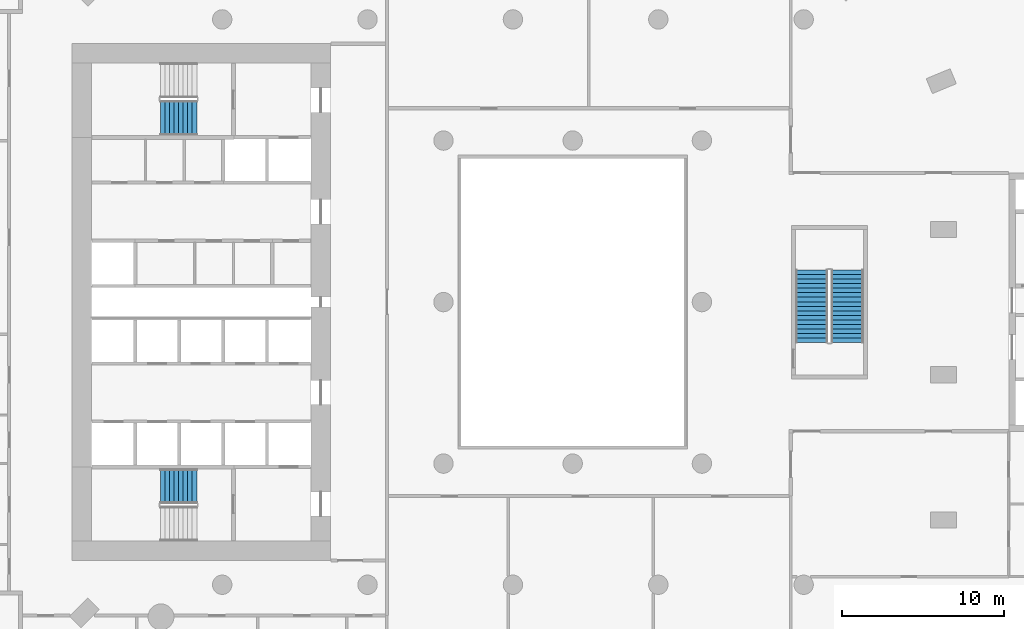
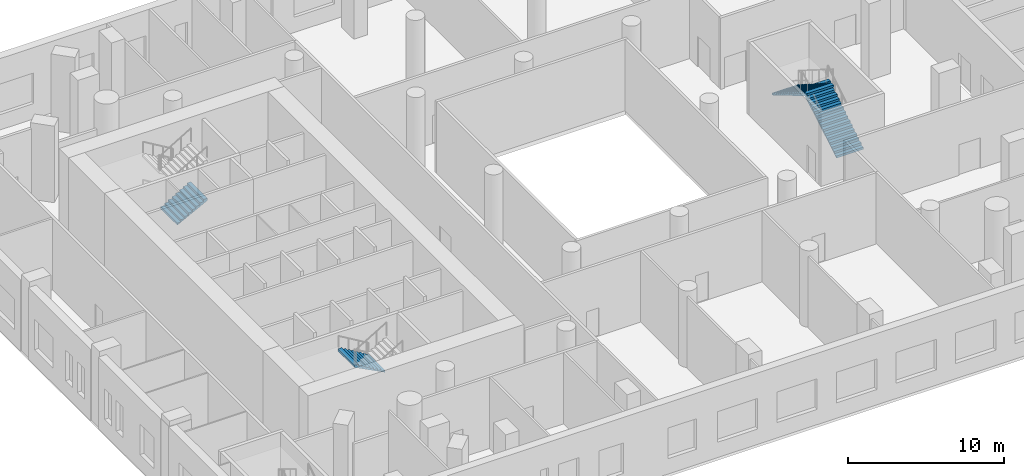
# One storey, part 12 of 19: 4 stair flights, 3 elements without a shape of their own.
"""IFC4 building model written with IfcOpenShell, lengths in metres."""

from ifc_helpers import new_model, si_unit, direction, frame, origin, place, context, subcontext, project, spatial, triangles, material, type_object, element, aggregate, save


model = new_model("IFC4")

# Units and contexts
model_context = context("Model", 3, precision=1e-05, world=origin(), true_north=direction((0.0, 1.0)))
body_context = subcontext(model_context, "Body", "Model", "MODEL_VIEW")
ifc_project = project(units=[si_unit("LENGTHUNIT", "METRE"), si_unit("AREAUNIT", "SQUARE_METRE"), si_unit("VOLUMEUNIT", "CUBIC_METRE"), si_unit("PLANEANGLEUNIT", "RADIAN"), si_unit("MASSUNIT", "GRAM", prefix="KILO")], contexts=[model_context])

# Site, building, storey
site_placement = place(None, origin())
site = spatial("IfcSite", under=ifc_project, at=site_placement, CompositionType="ELEMENT")
building_placement = place(site_placement, origin())
building = spatial("IfcBuilding", under=site, at=building_placement, Name="Cypress Arch Tower", CompositionType="ELEMENT")
storey_placement = place(building_placement, frame((0.0, 0.0, 44.0)))
storey = spatial("IfcBuildingStorey", under=building, at=storey_placement, Name="L05", CompositionType="ELEMENT", Elevation=44.0)

# Stair, stair flight
ifc_material_1 = material(Name="Concrete C40/50", Category="concrete")
stair_type_1 = type_object("IfcStairType", Name="Exit stair ES1667-215", PredefinedType="HALF_TURN_STAIR", material=ifc_material_1)
stair_1_placement = place(storey_placement, origin())
stair_1 = element("IfcStair", 1, at=stair_1_placement, inside=storey, type_object=stair_type_1, Name="L05 Exit stair A", PredefinedType="HALF_TURN_STAIR")
ifc_material_2 = material(Name="Concrete C40/50", Category="concrete")
stair_flight_type_1 = type_object("IfcStairFlightType", Name="Exit stair flight ES1667-215", PredefinedType="STRAIGHT", material=ifc_material_2)
stair_flight_1_placement = place(storey_placement, frame((-22.27490234375, -11.39990234375, 3.0), z_axis=(0.0, 0.0, 1.0), x_axis=(-1.0, 0.0, 0.0)))
stair_flight_1 = element("IfcStairFlight", 2, at=stair_flight_1_placement, type_object=stair_flight_type_1, Name="A flight 3", NumberOfRisers=9, NumberOfTreads=8, PredefinedType="STRAIGHT", RiserHeight=0.166666667, TreadLength=0.28, context=body_context, shape_type="Tessellation", body=[
    triangles([(0.0, -1.074951171875, 0.0), (0.000244140625, -1.074951171875, 0.0185546875), (0.000244140625, -1.074951171875, 0.037109375), (0.00048828125, -1.074951171875, 0.0556640625), (0.00048828125, -1.074951171875, 0.07421875), (0.00048828125, -1.074951171875, 0.092529296875), (0.00048828125, -1.074951171875, 0.111083984375), (0.000244140625, -1.074951171875, 0.129638671875), (0.000244140625, -1.074951171875, 0.148193359375), (0.0, -1.074951171875, 0.166748046875), (0.280029296875, -1.074951171875, 0.166748046875), (0.280029296875, -1.074951171875, 0.333251953125), (0.56005859375, -1.074951171875, 0.333251953125), (0.56005859375, -1.074951171875, 0.5), (0.840087890625, -1.074951171875, 0.5), (0.840087890625, -1.074951171875, 0.666748046875), (1.1201171875, -1.074951171875, 0.666748046875), (1.1201171875, -1.074951171875, 0.833251953125), (1.39990234375, -1.074951171875, 0.833251953125), (1.39990234375, -1.074951171875, 1.0), (1.679931640625, -1.074951171875, 1.0), (1.679931640625, -1.074951171875, 1.166748046875), (1.9599609375, -1.074951171875, 1.166748046875), (1.9599609375, -1.074951171875, 1.333251953125), (2.239990234375, -1.074951171875, 1.333251953125), (2.23974609375, -1.074951171875, 1.31396484375), (2.23974609375, -1.074951171875, 1.29443359375), (2.239501953125, -1.074951171875, 1.275146484375), (2.239501953125, -1.074951171875, 1.255859375), (2.239501953125, -1.074951171875, 1.236328125), (2.239501953125, -1.074951171875, 1.217041015625), (2.23974609375, -1.074951171875, 1.19775390625), (2.23974609375, -1.074951171875, 1.17822265625), (2.239990234375, -1.074951171875, 1.158935546875), (2.239990234375, 1.074951171875, 1.158935546875), (2.23974609375, 1.074951171875, 1.17822265625), (2.23974609375, 1.074951171875, 1.19775390625), (2.239501953125, 1.074951171875, 1.217041015625), (2.239501953125, 1.074951171875, 1.236328125), (2.239501953125, 1.074951171875, 1.255859375), (2.239501953125, 1.074951171875, 1.275146484375), (2.23974609375, 1.074951171875, 1.29443359375), (2.23974609375, 1.074951171875, 1.31396484375), (2.239990234375, 1.074951171875, 1.333251953125), (1.9599609375, 1.074951171875, 1.333251953125), (1.9599609375, 1.074951171875, 1.166748046875), (1.679931640625, 1.074951171875, 1.166748046875), (1.679931640625, 1.074951171875, 1.0), (1.39990234375, 1.074951171875, 1.0), (1.39990234375, 1.074951171875, 0.833251953125), (1.1201171875, 1.074951171875, 0.833251953125), (1.1201171875, 1.074951171875, 0.666748046875), (0.840087890625, 1.074951171875, 0.666748046875), (0.840087890625, 1.074951171875, 0.5), (0.56005859375, 1.074951171875, 0.5), (0.56005859375, 1.074951171875, 0.333251953125), (0.280029296875, 1.074951171875, 0.333251953125), (0.280029296875, 1.074951171875, 0.166748046875), (0.0, 1.074951171875, 0.166748046875), (0.000244140625, 1.074951171875, 0.148193359375), (0.000244140625, 1.074951171875, 0.129638671875), (0.00048828125, 1.074951171875, 0.111083984375), (0.00048828125, 1.074951171875, 0.092529296875), (0.00048828125, 1.074951171875, 0.07421875), (0.00048828125, 1.074951171875, 0.0556640625), (0.000244140625, 1.074951171875, 0.037109375), (0.000244140625, 1.074951171875, 0.0185546875), (0.0, 1.074951171875, 0.0), (2.23974609375, -0.3583984375, 1.17822265625), (2.239990234375, -0.3583984375, 1.158935546875), (2.23974609375, 0.3583984375, 1.17822265625), (2.239990234375, 0.3583984375, 1.158935546875), (2.23974609375, -0.3583984375, 1.19775390625), (2.23974609375, 0.3583984375, 1.19775390625), (2.239501953125, -0.3583984375, 1.217041015625), (2.239501953125, 0.3583984375, 1.217041015625), (2.239501953125, -0.3583984375, 1.236328125), (2.239501953125, 0.3583984375, 1.236328125), (2.239501953125, -0.3583984375, 1.255859375), (2.239501953125, 0.3583984375, 1.255859375), (2.239501953125, -0.3583984375, 1.275146484375), (2.239501953125, 0.3583984375, 1.275146484375), (2.23974609375, -0.3583984375, 1.29443359375), (2.23974609375, 0.3583984375, 1.29443359375), (2.23974609375, -0.3583984375, 1.31396484375), (2.23974609375, 0.3583984375, 1.31396484375), (2.239990234375, -0.3583984375, 1.333251953125), (2.239990234375, 0.3583984375, 1.333251953125), (1.9599609375, -0.3583984375, 1.333251953125), (1.9599609375, 0.3583984375, 1.333251953125), (1.9599609375, -0.3583984375, 1.166748046875), (1.9599609375, 0.3583984375, 1.166748046875), (1.679931640625, -0.3583984375, 1.166748046875), (1.679931640625, 0.3583984375, 1.166748046875), (1.679931640625, -0.3583984375, 1.0), (1.679931640625, 0.3583984375, 1.0), (1.39990234375, -0.3583984375, 1.0), (1.39990234375, 0.3583984375, 1.0), (1.39990234375, -0.3583984375, 0.833251953125), (1.39990234375, 0.3583984375, 0.833251953125), (1.1201171875, -0.3583984375, 0.833251953125), (1.1201171875, 0.3583984375, 0.833251953125), (1.1201171875, -0.3583984375, 0.666748046875), (1.1201171875, 0.3583984375, 0.666748046875), (0.840087890625, -0.3583984375, 0.666748046875), (0.840087890625, 0.3583984375, 0.666748046875), (0.840087890625, -0.3583984375, 0.5), (0.840087890625, 0.3583984375, 0.5), (0.56005859375, -0.3583984375, 0.5), (0.56005859375, 0.3583984375, 0.5), (0.56005859375, -0.3583984375, 0.333251953125), (0.56005859375, 0.3583984375, 0.333251953125), (0.280029296875, -0.3583984375, 0.333251953125), (0.280029296875, 0.3583984375, 0.333251953125), (0.280029296875, -0.3583984375, 0.166748046875), (0.280029296875, 0.3583984375, 0.166748046875), (0.0, -0.3583984375, 0.166748046875), (0.0, 0.3583984375, 0.166748046875), (0.000244140625, -0.3583984375, 0.148193359375), (0.000244140625, 0.3583984375, 0.148193359375), (0.000244140625, -0.3583984375, 0.129638671875), (0.000244140625, 0.3583984375, 0.129638671875), (0.00048828125, -0.3583984375, 0.111083984375), (0.00048828125, 0.3583984375, 0.111083984375), (0.00048828125, -0.3583984375, 0.092529296875), (0.00048828125, 0.3583984375, 0.092529296875), (0.00048828125, -0.3583984375, 0.07421875), (0.00048828125, 0.3583984375, 0.07421875), (0.00048828125, -0.3583984375, 0.0556640625), (0.00048828125, 0.3583984375, 0.0556640625), (0.000244140625, -0.3583984375, 0.037109375), (0.000244140625, 0.3583984375, 0.037109375), (0.000244140625, -0.3583984375, 0.0185546875), (0.000244140625, 0.3583984375, 0.0185546875), (0.0, -0.3583984375, 0.0), (0.0, 0.3583984375, 0.0)], [[34, 33, 24], [33, 32, 24], [32, 31, 24], [31, 30, 24], [30, 29, 24], [29, 28, 24], [28, 27, 24], [27, 26, 24], [26, 25, 24], [23, 22, 21], [21, 20, 19], [17, 16, 15], [15, 14, 13], [10, 9, 11], [9, 8, 11], [8, 7, 11], [7, 6, 11], [6, 5, 11], [5, 4, 11], [4, 3, 11], [3, 2, 11], [2, 1, 11], [19, 18, 17], [13, 12, 11], [34, 24, 23], [34, 23, 21], [34, 21, 19], [34, 19, 17], [34, 17, 15], [34, 15, 13], [1, 34, 13], [13, 11, 1], [35, 45, 36], [36, 45, 37], [37, 45, 38], [38, 45, 39], [39, 45, 40], [40, 45, 41], [41, 45, 42], [42, 45, 43], [43, 45, 44], [46, 48, 47], [48, 50, 49], [52, 54, 53], [54, 56, 55], [59, 58, 60], [60, 58, 61], [61, 58, 62], [62, 58, 63], [63, 58, 64], [64, 58, 65], [65, 58, 66], [66, 58, 67], [67, 58, 68], [50, 52, 51], [56, 58, 57], [35, 46, 45], [35, 48, 46], [35, 50, 48], [35, 52, 50], [35, 54, 52], [35, 56, 54], [68, 56, 35], [56, 68, 58], [70, 69, 33], [70, 33, 34], [72, 71, 69], [72, 69, 70], [35, 36, 71], [35, 71, 72], [69, 73, 32], [69, 32, 33], [71, 74, 73], [71, 73, 69], [36, 37, 74], [36, 74, 71], [73, 75, 31], [73, 31, 32], [74, 76, 75], [74, 75, 73], [37, 38, 76], [37, 76, 74], [75, 77, 30], [75, 30, 31], [76, 78, 77], [76, 77, 75], [38, 39, 78], [38, 78, 76], [77, 79, 29], [77, 29, 30], [78, 80, 79], [78, 79, 77], [39, 40, 80], [39, 80, 78], [79, 81, 28], [79, 28, 29], [80, 82, 81], [80, 81, 79], [40, 41, 82], [40, 82, 80], [81, 83, 27], [81, 27, 28], [82, 84, 83], [82, 83, 81], [41, 42, 84], [41, 84, 82], [83, 85, 26], [83, 26, 27], [84, 86, 85], [84, 85, 83], [42, 43, 86], [42, 86, 84], [85, 87, 25], [85, 25, 26], [86, 88, 87], [86, 87, 85], [43, 44, 88], [43, 88, 86], [87, 89, 24], [87, 24, 25], [88, 90, 89], [88, 89, 87], [44, 45, 90], [44, 90, 88], [89, 91, 23], [89, 23, 24], [90, 92, 91], [90, 91, 89], [45, 46, 92], [45, 92, 90], [91, 93, 22], [91, 22, 23], [92, 94, 93], [92, 93, 91], [46, 47, 94], [46, 94, 92], [93, 95, 21], [93, 21, 22], [94, 96, 95], [94, 95, 93], [47, 48, 96], [47, 96, 94], [95, 97, 20], [95, 20, 21], [96, 98, 97], [96, 97, 95], [48, 49, 98], [48, 98, 96], [97, 99, 19], [97, 19, 20], [98, 100, 99], [98, 99, 97], [49, 50, 100], [49, 100, 98], [99, 101, 18], [99, 18, 19], [100, 102, 101], [100, 101, 99], [50, 51, 102], [50, 102, 100], [101, 103, 17], [101, 17, 18], [102, 104, 103], [102, 103, 101], [51, 52, 104], [51, 104, 102], [103, 105, 16], [103, 16, 17], [104, 106, 105], [104, 105, 103], [52, 53, 106], [52, 106, 104], [105, 107, 15], [105, 15, 16], [106, 108, 107], [106, 107, 105], [53, 54, 108], [53, 108, 106], [107, 109, 14], [107, 14, 15], [108, 110, 109], [108, 109, 107], [54, 55, 110], [54, 110, 108], [109, 111, 13], [109, 13, 14], [110, 112, 111], [110, 111, 109], [55, 56, 112], [55, 112, 110], [111, 113, 12], [111, 12, 13], [112, 114, 113], [112, 113, 111], [56, 57, 114], [56, 114, 112], [113, 115, 11], [113, 11, 12], [114, 116, 115], [114, 115, 113], [57, 58, 116], [57, 116, 114], [115, 117, 10], [115, 10, 11], [116, 118, 117], [116, 117, 115], [58, 59, 118], [58, 118, 116], [117, 119, 9], [117, 9, 10], [118, 120, 119], [118, 119, 117], [59, 60, 120], [59, 120, 118], [119, 121, 8], [119, 8, 9], [120, 122, 121], [120, 121, 119], [60, 61, 122], [60, 122, 120], [121, 123, 7], [121, 7, 8], [122, 124, 123], [122, 123, 121], [61, 62, 124], [61, 124, 122], [123, 125, 6], [123, 6, 7], [124, 126, 125], [124, 125, 123], [62, 63, 126], [62, 126, 124], [125, 127, 5], [125, 5, 6], [126, 128, 127], [126, 127, 125], [63, 64, 128], [63, 128, 126], [127, 129, 4], [127, 4, 5], [128, 130, 129], [128, 129, 127], [64, 65, 130], [64, 130, 128], [129, 131, 3], [129, 3, 4], [130, 132, 131], [130, 131, 129], [65, 66, 132], [65, 132, 130], [131, 133, 2], [131, 2, 3], [132, 134, 133], [132, 133, 131], [66, 67, 134], [66, 134, 132], [133, 135, 1], [133, 1, 2], [134, 136, 135], [134, 135, 133], [67, 68, 136], [67, 136, 134], [135, 70, 34], [135, 34, 1], [136, 72, 70], [136, 70, 135], [68, 35, 72], [68, 72, 136]], closed=True),
])
aggregate(stair_1, [stair_flight_1])

stair_2_placement = place(storey_placement, origin())
stair_2 = element("IfcStair", 3, at=stair_2_placement, inside=storey, type_object=stair_type_1, Name="L05 Exit stair B", PredefinedType="HALF_TURN_STAIR")
stair_flight_2_placement = place(storey_placement, frame((-24.514892578125, 11.39990234375, 1.5), z_axis=(0.0, 0.0, 1.0), x_axis=(1.0, 0.0, 0.0)))
stair_flight_2 = element("IfcStairFlight", 4, at=stair_flight_2_placement, type_object=stair_flight_type_1, Name="B flight 2", NumberOfRisers=9, NumberOfTreads=8, PredefinedType="STRAIGHT", RiserHeight=0.166666667, TreadLength=0.28, context=body_context, shape_type="Tessellation", body=[
    triangles([(0.0, -1.074951171875, 0.0), (0.000244140625, -1.074951171875, 0.0185546875), (0.000244140625, -1.074951171875, 0.037109375), (0.00048828125, -1.074951171875, 0.0556640625), (0.00048828125, -1.074951171875, 0.07421875), (0.00048828125, -1.074951171875, 0.092529296875), (0.00048828125, -1.074951171875, 0.111083984375), (0.000244140625, -1.074951171875, 0.129638671875), (0.000244140625, -1.074951171875, 0.148193359375), (0.0, -1.074951171875, 0.166748046875), (0.280029296875, -1.074951171875, 0.166748046875), (0.280029296875, -1.074951171875, 0.333251953125), (0.56005859375, -1.074951171875, 0.333251953125), (0.56005859375, -1.074951171875, 0.5), (0.840087890625, -1.074951171875, 0.5), (0.840087890625, -1.074951171875, 0.666748046875), (1.1201171875, -1.074951171875, 0.666748046875), (1.1201171875, -1.074951171875, 0.833251953125), (1.39990234375, -1.074951171875, 0.833251953125), (1.39990234375, -1.074951171875, 1.0), (1.679931640625, -1.074951171875, 1.0), (1.679931640625, -1.074951171875, 1.166748046875), (1.9599609375, -1.074951171875, 1.166748046875), (1.9599609375, -1.074951171875, 1.333251953125), (2.239990234375, -1.074951171875, 1.333251953125), (2.23974609375, -1.074951171875, 1.31396484375), (2.23974609375, -1.074951171875, 1.29443359375), (2.239501953125, -1.074951171875, 1.275146484375), (2.239501953125, -1.074951171875, 1.255859375), (2.239501953125, -1.074951171875, 1.236328125), (2.239501953125, -1.074951171875, 1.217041015625), (2.23974609375, -1.074951171875, 1.19775390625), (2.23974609375, -1.074951171875, 1.17822265625), (2.239990234375, -1.074951171875, 1.158935546875), (2.239990234375, 1.074951171875, 1.158935546875), (2.23974609375, 1.074951171875, 1.17822265625), (2.23974609375, 1.074951171875, 1.19775390625), (2.239501953125, 1.074951171875, 1.217041015625), (2.239501953125, 1.074951171875, 1.236328125), (2.239501953125, 1.074951171875, 1.255859375), (2.239501953125, 1.074951171875, 1.275146484375), (2.23974609375, 1.074951171875, 1.29443359375), (2.23974609375, 1.074951171875, 1.31396484375), (2.239990234375, 1.074951171875, 1.333251953125), (1.9599609375, 1.074951171875, 1.333251953125), (1.9599609375, 1.074951171875, 1.166748046875), (1.679931640625, 1.074951171875, 1.166748046875), (1.679931640625, 1.074951171875, 1.0), (1.39990234375, 1.074951171875, 1.0), (1.39990234375, 1.074951171875, 0.833251953125), (1.1201171875, 1.074951171875, 0.833251953125), (1.1201171875, 1.074951171875, 0.666748046875), (0.840087890625, 1.074951171875, 0.666748046875), (0.840087890625, 1.074951171875, 0.5), (0.56005859375, 1.074951171875, 0.5), (0.56005859375, 1.074951171875, 0.333251953125), (0.280029296875, 1.074951171875, 0.333251953125), (0.280029296875, 1.074951171875, 0.166748046875), (0.0, 1.074951171875, 0.166748046875), (0.000244140625, 1.074951171875, 0.148193359375), (0.000244140625, 1.074951171875, 0.129638671875), (0.00048828125, 1.074951171875, 0.111083984375), (0.00048828125, 1.074951171875, 0.092529296875), (0.00048828125, 1.074951171875, 0.07421875), (0.00048828125, 1.074951171875, 0.0556640625), (0.000244140625, 1.074951171875, 0.037109375), (0.000244140625, 1.074951171875, 0.0185546875), (0.0, 1.074951171875, 0.0), (2.23974609375, -0.3583984375, 1.17822265625), (2.239990234375, -0.3583984375, 1.158935546875), (2.23974609375, 0.3583984375, 1.17822265625), (2.239990234375, 0.3583984375, 1.158935546875), (2.23974609375, -0.3583984375, 1.19775390625), (2.23974609375, 0.3583984375, 1.19775390625), (2.239501953125, -0.3583984375, 1.217041015625), (2.239501953125, 0.3583984375, 1.217041015625), (2.239501953125, -0.3583984375, 1.236328125), (2.239501953125, 0.3583984375, 1.236328125), (2.239501953125, -0.3583984375, 1.255859375), (2.239501953125, 0.3583984375, 1.255859375), (2.239501953125, -0.3583984375, 1.275146484375), (2.239501953125, 0.3583984375, 1.275146484375), (2.23974609375, -0.3583984375, 1.29443359375), (2.23974609375, 0.3583984375, 1.29443359375), (2.23974609375, -0.3583984375, 1.31396484375), (2.23974609375, 0.3583984375, 1.31396484375), (2.239990234375, -0.3583984375, 1.333251953125), (2.239990234375, 0.3583984375, 1.333251953125), (1.9599609375, -0.3583984375, 1.333251953125), (1.9599609375, 0.3583984375, 1.333251953125), (1.9599609375, -0.3583984375, 1.166748046875), (1.9599609375, 0.3583984375, 1.166748046875), (1.679931640625, -0.3583984375, 1.166748046875), (1.679931640625, 0.3583984375, 1.166748046875), (1.679931640625, -0.3583984375, 1.0), (1.679931640625, 0.3583984375, 1.0), (1.39990234375, -0.3583984375, 1.0), (1.39990234375, 0.3583984375, 1.0), (1.39990234375, -0.3583984375, 0.833251953125), (1.39990234375, 0.3583984375, 0.833251953125), (1.1201171875, -0.3583984375, 0.833251953125), (1.1201171875, 0.3583984375, 0.833251953125), (1.1201171875, -0.3583984375, 0.666748046875), (1.1201171875, 0.3583984375, 0.666748046875), (0.840087890625, -0.3583984375, 0.666748046875), (0.840087890625, 0.3583984375, 0.666748046875), (0.840087890625, -0.3583984375, 0.5), (0.840087890625, 0.3583984375, 0.5), (0.56005859375, -0.3583984375, 0.5), (0.56005859375, 0.3583984375, 0.5), (0.56005859375, -0.3583984375, 0.333251953125), (0.56005859375, 0.3583984375, 0.333251953125), (0.280029296875, -0.3583984375, 0.333251953125), (0.280029296875, 0.3583984375, 0.333251953125), (0.280029296875, -0.3583984375, 0.166748046875), (0.280029296875, 0.3583984375, 0.166748046875), (0.0, -0.3583984375, 0.166748046875), (0.0, 0.3583984375, 0.166748046875), (0.000244140625, -0.3583984375, 0.148193359375), (0.000244140625, 0.3583984375, 0.148193359375), (0.000244140625, -0.3583984375, 0.129638671875), (0.000244140625, 0.3583984375, 0.129638671875), (0.00048828125, -0.3583984375, 0.111083984375), (0.00048828125, 0.3583984375, 0.111083984375), (0.00048828125, -0.3583984375, 0.092529296875), (0.00048828125, 0.3583984375, 0.092529296875), (0.00048828125, -0.3583984375, 0.07421875), (0.00048828125, 0.3583984375, 0.07421875), (0.00048828125, -0.3583984375, 0.0556640625), (0.00048828125, 0.3583984375, 0.0556640625), (0.000244140625, -0.3583984375, 0.037109375), (0.000244140625, 0.3583984375, 0.037109375), (0.000244140625, -0.3583984375, 0.0185546875), (0.000244140625, 0.3583984375, 0.0185546875), (0.0, -0.3583984375, 0.0), (0.0, 0.3583984375, 0.0)], [[34, 33, 24], [33, 32, 24], [32, 31, 24], [31, 30, 24], [30, 29, 24], [29, 28, 24], [28, 27, 24], [27, 26, 24], [26, 25, 24], [23, 22, 21], [21, 20, 19], [17, 16, 15], [15, 14, 13], [10, 9, 11], [9, 8, 11], [8, 7, 11], [7, 6, 11], [6, 5, 11], [5, 4, 11], [4, 3, 11], [3, 2, 11], [2, 1, 11], [19, 18, 17], [13, 12, 11], [34, 24, 23], [34, 23, 21], [34, 21, 19], [34, 19, 17], [34, 17, 15], [34, 15, 13], [1, 34, 13], [13, 11, 1], [35, 45, 36], [36, 45, 37], [37, 45, 38], [38, 45, 39], [39, 45, 40], [40, 45, 41], [41, 45, 42], [42, 45, 43], [43, 45, 44], [46, 48, 47], [48, 50, 49], [52, 54, 53], [54, 56, 55], [59, 58, 60], [60, 58, 61], [61, 58, 62], [62, 58, 63], [63, 58, 64], [64, 58, 65], [65, 58, 66], [66, 58, 67], [67, 58, 68], [50, 52, 51], [56, 58, 57], [35, 46, 45], [35, 48, 46], [35, 50, 48], [35, 52, 50], [35, 54, 52], [35, 56, 54], [68, 56, 35], [56, 68, 58], [70, 69, 33], [70, 33, 34], [72, 71, 69], [72, 69, 70], [35, 36, 71], [35, 71, 72], [69, 73, 32], [69, 32, 33], [71, 74, 73], [71, 73, 69], [36, 37, 74], [36, 74, 71], [73, 75, 31], [73, 31, 32], [74, 76, 75], [74, 75, 73], [37, 38, 76], [37, 76, 74], [75, 77, 30], [75, 30, 31], [76, 78, 77], [76, 77, 75], [38, 39, 78], [38, 78, 76], [77, 79, 29], [77, 29, 30], [78, 80, 79], [78, 79, 77], [39, 40, 80], [39, 80, 78], [79, 81, 28], [79, 28, 29], [80, 82, 81], [80, 81, 79], [40, 41, 82], [40, 82, 80], [81, 83, 27], [81, 27, 28], [82, 84, 83], [82, 83, 81], [41, 42, 84], [41, 84, 82], [83, 85, 26], [83, 26, 27], [84, 86, 85], [84, 85, 83], [42, 43, 86], [42, 86, 84], [85, 87, 25], [85, 25, 26], [86, 88, 87], [86, 87, 85], [43, 44, 88], [43, 88, 86], [87, 89, 24], [87, 24, 25], [88, 90, 89], [88, 89, 87], [44, 45, 90], [44, 90, 88], [89, 91, 23], [89, 23, 24], [90, 92, 91], [90, 91, 89], [45, 46, 92], [45, 92, 90], [91, 93, 22], [91, 22, 23], [92, 94, 93], [92, 93, 91], [46, 47, 94], [46, 94, 92], [93, 95, 21], [93, 21, 22], [94, 96, 95], [94, 95, 93], [47, 48, 96], [47, 96, 94], [95, 97, 20], [95, 20, 21], [96, 98, 97], [96, 97, 95], [48, 49, 98], [48, 98, 96], [97, 99, 19], [97, 19, 20], [98, 100, 99], [98, 99, 97], [49, 50, 100], [49, 100, 98], [99, 101, 18], [99, 18, 19], [100, 102, 101], [100, 101, 99], [50, 51, 102], [50, 102, 100], [101, 103, 17], [101, 17, 18], [102, 104, 103], [102, 103, 101], [51, 52, 104], [51, 104, 102], [103, 105, 16], [103, 16, 17], [104, 106, 105], [104, 105, 103], [52, 53, 106], [52, 106, 104], [105, 107, 15], [105, 15, 16], [106, 108, 107], [106, 107, 105], [53, 54, 108], [53, 108, 106], [107, 109, 14], [107, 14, 15], [108, 110, 109], [108, 109, 107], [54, 55, 110], [54, 110, 108], [109, 111, 13], [109, 13, 14], [110, 112, 111], [110, 111, 109], [55, 56, 112], [55, 112, 110], [111, 113, 12], [111, 12, 13], [112, 114, 113], [112, 113, 111], [56, 57, 114], [56, 114, 112], [113, 115, 11], [113, 11, 12], [114, 116, 115], [114, 115, 113], [57, 58, 116], [57, 116, 114], [115, 117, 10], [115, 10, 11], [116, 118, 117], [116, 117, 115], [58, 59, 118], [58, 118, 116], [117, 119, 9], [117, 9, 10], [118, 120, 119], [118, 119, 117], [59, 60, 120], [59, 120, 118], [119, 121, 8], [119, 8, 9], [120, 122, 121], [120, 121, 119], [60, 61, 122], [60, 122, 120], [121, 123, 7], [121, 7, 8], [122, 124, 123], [122, 123, 121], [61, 62, 124], [61, 124, 122], [123, 125, 6], [123, 6, 7], [124, 126, 125], [124, 125, 123], [62, 63, 126], [62, 126, 124], [125, 127, 5], [125, 5, 6], [126, 128, 127], [126, 127, 125], [63, 64, 128], [63, 128, 126], [127, 129, 4], [127, 4, 5], [128, 130, 129], [128, 129, 127], [64, 65, 130], [64, 130, 128], [129, 131, 3], [129, 3, 4], [130, 132, 131], [130, 131, 129], [65, 66, 132], [65, 132, 130], [131, 133, 2], [131, 2, 3], [132, 134, 133], [132, 133, 131], [66, 67, 134], [66, 134, 132], [133, 135, 1], [133, 1, 2], [134, 136, 135], [134, 135, 133], [67, 68, 136], [67, 136, 134], [135, 70, 34], [135, 34, 1], [136, 72, 70], [136, 70, 135], [68, 35, 72], [68, 72, 136]], closed=True),
])
aggregate(stair_2, [stair_flight_2])

# Stair, stair flights
ifc_material_3 = material(Name="Concrete C40/50", Category="concrete")
stair_type_2 = type_object("IfcStairType", Name="Exit stair ES1765-200", PredefinedType="HALF_TURN_STAIR", material=ifc_material_3)
stair_3_placement = place(storey_placement, origin())
stair_3 = element("IfcStair", 5, at=stair_3_placement, inside=storey, type_object=stair_type_2, Name="L05 Exit stair C", PredefinedType="HALF_TURN_STAIR")
ifc_material_4 = material(Name="Concrete C40/50", Category="concrete")
stair_flight_type_2 = type_object("IfcStairFlightType", Name="Exit stair flight ES1765-200", PredefinedType="STRAIGHT", material=ifc_material_4)
stair_flight_3_placement = place(storey_placement, frame((18.0, -2.5, 0.0), z_axis=(0.0, 0.0, 1.0), x_axis=(0.0, 1.0, 0.0)))
stair_flight_3 = element("IfcStairFlight", 6, at=stair_flight_3_placement, type_object=stair_flight_type_2, Name="C flight 1", NumberOfRisers=17, NumberOfTreads=16, PredefinedType="STRAIGHT", RiserHeight=0.176470588, TreadLength=0.28, context=body_context, shape_type="Tessellation", body=[
    triangles([(0.0, -1.0, 0.0), (0.0, -1.0, 0.176513671875), (0.280029296875, -1.0, 0.176513671875), (0.280029296875, -1.0, 0.35302734375), (0.56005859375, -1.0, 0.35302734375), (0.56005859375, -1.0, 0.529296875), (0.840087890625, -1.0, 0.529296875), (0.840087890625, -1.0, 0.705810546875), (1.1201171875, -1.0, 0.705810546875), (1.1201171875, -1.0, 0.88232421875), (1.39990234375, -1.0, 0.88232421875), (1.39990234375, -1.0, 1.058837890625), (1.679931640625, -1.0, 1.058837890625), (1.679931640625, -1.0, 1.2353515625), (1.9599609375, -1.0, 1.2353515625), (1.9599609375, -1.0, 1.411865234375), (2.239990234375, -1.0, 1.411865234375), (2.239990234375, -1.0, 1.588134765625), (2.52001953125, -1.0, 1.588134765625), (2.52001953125, -1.0, 1.7646484375), (2.800048828125, -1.0, 1.7646484375), (2.800048828125, -1.0, 1.941162109375), (3.080078125, -1.0, 1.941162109375), (3.080078125, -1.0, 2.11767578125), (3.360107421875, -1.0, 2.11767578125), (3.360107421875, -1.0, 2.294189453125), (3.639892578125, -1.0, 2.294189453125), (3.639892578125, -1.0, 2.470703125), (3.919921875, -1.0, 2.470703125), (3.919921875, -1.0, 2.64697265625), (4.199951171875, -1.0, 2.64697265625), (4.199951171875, -1.0, 2.823486328125), (4.47998046875, -1.0, 2.823486328125), (4.47998046875, -1.0, 2.646240234375), (4.47998046875, 1.0, 2.646240234375), (4.47998046875, 1.0, 2.823486328125), (4.199951171875, 1.0, 2.823486328125), (4.199951171875, 1.0, 2.64697265625), (3.919921875, 1.0, 2.64697265625), (3.919921875, 1.0, 2.470703125), (3.639892578125, 1.0, 2.470703125), (3.639892578125, 1.0, 2.294189453125), (3.360107421875, 1.0, 2.294189453125), (3.360107421875, 1.0, 2.11767578125), (3.080078125, 1.0, 2.11767578125), (3.080078125, 1.0, 1.941162109375), (2.800048828125, 1.0, 1.941162109375), (2.800048828125, 1.0, 1.7646484375), (2.52001953125, 1.0, 1.7646484375), (2.52001953125, 1.0, 1.588134765625), (2.239990234375, 1.0, 1.588134765625), (2.239990234375, 1.0, 1.411865234375), (1.9599609375, 1.0, 1.411865234375), (1.9599609375, 1.0, 1.2353515625), (1.679931640625, 1.0, 1.2353515625), (1.679931640625, 1.0, 1.058837890625), (1.39990234375, 1.0, 1.058837890625), (1.39990234375, 1.0, 0.88232421875), (1.1201171875, 1.0, 0.88232421875), (1.1201171875, 1.0, 0.705810546875), (0.840087890625, 1.0, 0.705810546875), (0.840087890625, 1.0, 0.529296875), (0.56005859375, 1.0, 0.529296875), (0.56005859375, 1.0, 0.35302734375), (0.280029296875, 1.0, 0.35302734375), (0.280029296875, 1.0, 0.176513671875), (0.0, 1.0, 0.176513671875), (0.0, 1.0, 0.0)], [[34, 33, 32], [27, 26, 25], [11, 10, 9], [29, 28, 27], [25, 24, 23], [23, 22, 21], [21, 20, 19], [17, 16, 15], [15, 14, 13], [13, 12, 11], [9, 8, 7], [5, 4, 3], [3, 2, 1], [31, 30, 29], [19, 18, 17], [7, 6, 5], [34, 32, 31], [34, 31, 29], [34, 29, 27], [34, 27, 25], [34, 25, 23], [34, 23, 21], [34, 21, 19], [34, 19, 17], [34, 17, 15], [34, 15, 13], [34, 13, 11], [34, 11, 9], [34, 9, 7], [1, 34, 7], [7, 5, 3], [7, 3, 1], [35, 37, 36], [42, 44, 43], [58, 60, 59], [40, 42, 41], [44, 46, 45], [46, 48, 47], [48, 50, 49], [52, 54, 53], [54, 56, 55], [56, 58, 57], [60, 62, 61], [64, 66, 65], [66, 68, 67], [38, 40, 39], [50, 52, 51], [62, 64, 63], [35, 38, 37], [35, 40, 38], [35, 42, 40], [35, 44, 42], [35, 46, 44], [35, 48, 46], [35, 50, 48], [35, 52, 50], [35, 54, 52], [35, 56, 54], [35, 58, 56], [35, 60, 58], [35, 62, 60], [68, 62, 35], [62, 66, 64], [62, 68, 66], [35, 36, 33], [35, 33, 34], [36, 37, 32], [36, 32, 33], [37, 38, 31], [37, 31, 32], [38, 39, 30], [38, 30, 31], [39, 40, 29], [39, 29, 30], [40, 41, 28], [40, 28, 29], [41, 42, 27], [41, 27, 28], [42, 43, 26], [42, 26, 27], [43, 44, 25], [43, 25, 26], [44, 45, 24], [44, 24, 25], [45, 46, 23], [45, 23, 24], [46, 47, 22], [46, 22, 23], [47, 48, 21], [47, 21, 22], [48, 49, 20], [48, 20, 21], [49, 50, 19], [49, 19, 20], [50, 51, 18], [50, 18, 19], [51, 52, 17], [51, 17, 18], [52, 53, 16], [52, 16, 17], [53, 54, 15], [53, 15, 16], [54, 55, 14], [54, 14, 15], [55, 56, 13], [55, 13, 14], [56, 57, 12], [56, 12, 13], [57, 58, 11], [57, 11, 12], [58, 59, 10], [58, 10, 11], [59, 60, 9], [59, 9, 10], [60, 61, 8], [60, 8, 9], [61, 62, 7], [61, 7, 8], [62, 63, 6], [62, 6, 7], [63, 64, 5], [63, 5, 6], [64, 65, 4], [64, 4, 5], [65, 66, 3], [65, 3, 4], [66, 67, 2], [66, 2, 3], [67, 68, 1], [67, 1, 2], [68, 35, 34], [68, 34, 1]], closed=True),
])
stair_flight_4_placement = place(storey_placement, frame((15.800048828125, 1.97998046875, 3.0), z_axis=(0.0, 0.0, 1.0), x_axis=(0.0, -1.0, 0.0)))
stair_flight_4 = element("IfcStairFlight", 7, at=stair_flight_4_placement, type_object=stair_flight_type_2, Name="C flight 2", NumberOfRisers=17, NumberOfTreads=16, PredefinedType="STRAIGHT", RiserHeight=0.176470588, TreadLength=0.28, context=body_context, shape_type="Tessellation", body=[
    triangles([(0.0, -1.0, 0.0), (0.0, -1.0, 0.176513671875), (0.280029296875, -1.0, 0.176513671875), (0.280029296875, -1.0, 0.35302734375), (0.56005859375, -1.0, 0.35302734375), (0.56005859375, -1.0, 0.529296875), (0.840087890625, -1.0, 0.529296875), (0.840087890625, -1.0, 0.705810546875), (1.1201171875, -1.0, 0.705810546875), (1.1201171875, -1.0, 0.88232421875), (1.39990234375, -1.0, 0.88232421875), (1.39990234375, -1.0, 1.058837890625), (1.679931640625, -1.0, 1.058837890625), (1.679931640625, -1.0, 1.2353515625), (1.9599609375, -1.0, 1.2353515625), (1.9599609375, -1.0, 1.411865234375), (2.239990234375, -1.0, 1.411865234375), (2.239990234375, -1.0, 1.588134765625), (2.52001953125, -1.0, 1.588134765625), (2.52001953125, -1.0, 1.7646484375), (2.800048828125, -1.0, 1.7646484375), (2.800048828125, -1.0, 1.941162109375), (3.080078125, -1.0, 1.941162109375), (3.080078125, -1.0, 2.11767578125), (3.360107421875, -1.0, 2.11767578125), (3.360107421875, -1.0, 2.294189453125), (3.639892578125, -1.0, 2.294189453125), (3.639892578125, -1.0, 2.470703125), (3.919921875, -1.0, 2.470703125), (3.919921875, -1.0, 2.64697265625), (4.199951171875, -1.0, 2.64697265625), (4.199951171875, -1.0, 2.823486328125), (4.47998046875, -1.0, 2.823486328125), (4.47998046875, -1.0, 2.646240234375), (4.47998046875, 1.0, 2.646240234375), (4.47998046875, 1.0, 2.823486328125), (4.199951171875, 1.0, 2.823486328125), (4.199951171875, 1.0, 2.64697265625), (3.919921875, 1.0, 2.64697265625), (3.919921875, 1.0, 2.470703125), (3.639892578125, 1.0, 2.470703125), (3.639892578125, 1.0, 2.294189453125), (3.360107421875, 1.0, 2.294189453125), (3.360107421875, 1.0, 2.11767578125), (3.080078125, 1.0, 2.11767578125), (3.080078125, 1.0, 1.941162109375), (2.800048828125, 1.0, 1.941162109375), (2.800048828125, 1.0, 1.7646484375), (2.52001953125, 1.0, 1.7646484375), (2.52001953125, 1.0, 1.588134765625), (2.239990234375, 1.0, 1.588134765625), (2.239990234375, 1.0, 1.411865234375), (1.9599609375, 1.0, 1.411865234375), (1.9599609375, 1.0, 1.2353515625), (1.679931640625, 1.0, 1.2353515625), (1.679931640625, 1.0, 1.058837890625), (1.39990234375, 1.0, 1.058837890625), (1.39990234375, 1.0, 0.88232421875), (1.1201171875, 1.0, 0.88232421875), (1.1201171875, 1.0, 0.705810546875), (0.840087890625, 1.0, 0.705810546875), (0.840087890625, 1.0, 0.529296875), (0.56005859375, 1.0, 0.529296875), (0.56005859375, 1.0, 0.35302734375), (0.280029296875, 1.0, 0.35302734375), (0.280029296875, 1.0, 0.176513671875), (0.0, 1.0, 0.176513671875), (0.0, 1.0, 0.0)], [[34, 33, 32], [27, 26, 25], [11, 10, 9], [29, 28, 27], [25, 24, 23], [23, 22, 21], [21, 20, 19], [17, 16, 15], [15, 14, 13], [13, 12, 11], [9, 8, 7], [5, 4, 3], [3, 2, 1], [31, 30, 29], [19, 18, 17], [7, 6, 5], [34, 32, 31], [34, 31, 29], [34, 29, 27], [34, 27, 25], [34, 25, 23], [34, 23, 21], [34, 21, 19], [34, 19, 17], [34, 17, 15], [34, 15, 13], [34, 13, 11], [34, 11, 9], [34, 9, 7], [1, 34, 7], [7, 5, 3], [7, 3, 1], [35, 37, 36], [42, 44, 43], [58, 60, 59], [40, 42, 41], [44, 46, 45], [46, 48, 47], [48, 50, 49], [52, 54, 53], [54, 56, 55], [56, 58, 57], [60, 62, 61], [64, 66, 65], [66, 68, 67], [38, 40, 39], [50, 52, 51], [62, 64, 63], [35, 38, 37], [35, 40, 38], [35, 42, 40], [35, 44, 42], [35, 46, 44], [35, 48, 46], [35, 50, 48], [35, 52, 50], [35, 54, 52], [35, 56, 54], [35, 58, 56], [35, 60, 58], [35, 62, 60], [68, 62, 35], [62, 66, 64], [62, 68, 66], [35, 36, 33], [35, 33, 34], [36, 37, 32], [36, 32, 33], [37, 38, 31], [37, 31, 32], [38, 39, 30], [38, 30, 31], [39, 40, 29], [39, 29, 30], [40, 41, 28], [40, 28, 29], [41, 42, 27], [41, 27, 28], [42, 43, 26], [42, 26, 27], [43, 44, 25], [43, 25, 26], [44, 45, 24], [44, 24, 25], [45, 46, 23], [45, 23, 24], [46, 47, 22], [46, 22, 23], [47, 48, 21], [47, 21, 22], [48, 49, 20], [48, 20, 21], [49, 50, 19], [49, 19, 20], [50, 51, 18], [50, 18, 19], [51, 52, 17], [51, 17, 18], [52, 53, 16], [52, 16, 17], [53, 54, 15], [53, 15, 16], [54, 55, 14], [54, 14, 15], [55, 56, 13], [55, 13, 14], [56, 57, 12], [56, 12, 13], [57, 58, 11], [57, 11, 12], [58, 59, 10], [58, 10, 11], [59, 60, 9], [59, 9, 10], [60, 61, 8], [60, 8, 9], [61, 62, 7], [61, 7, 8], [62, 63, 6], [62, 6, 7], [63, 64, 5], [63, 5, 6], [64, 65, 4], [64, 4, 5], [65, 66, 3], [65, 3, 4], [66, 67, 2], [66, 2, 3], [67, 68, 1], [67, 1, 2], [68, 35, 34], [68, 34, 1]], closed=True),
])
aggregate(stair_3, [stair_flight_3, stair_flight_4])

save(model, "model.ifc")
